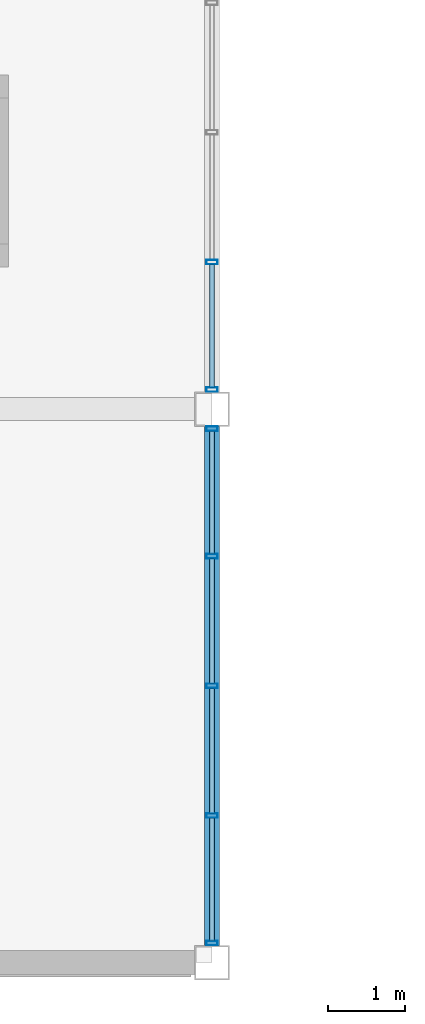
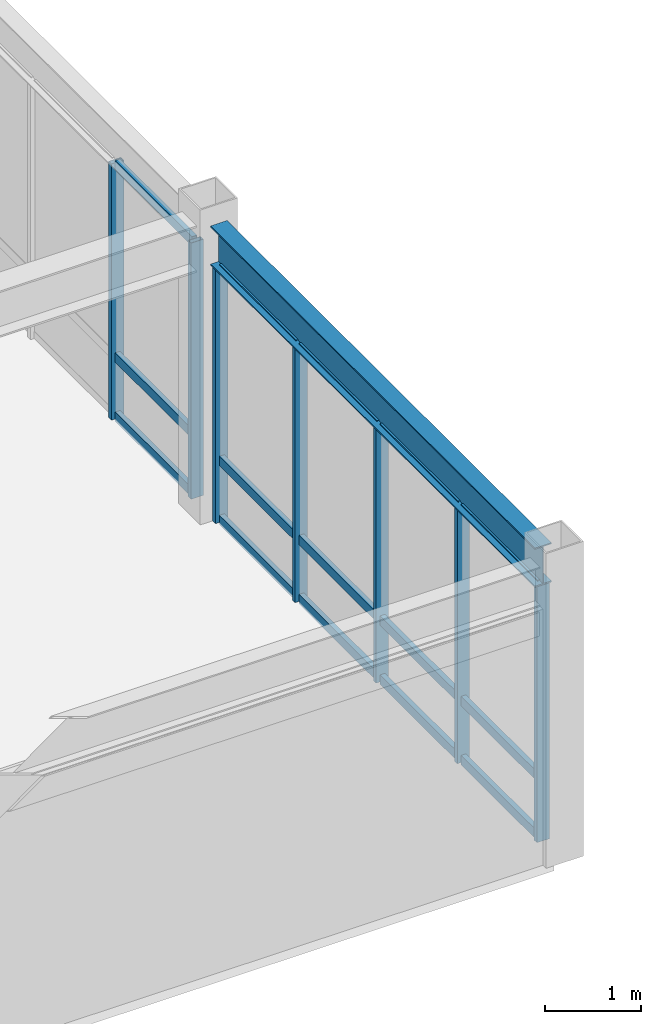
# One storey, part 17 of 122: 22 members, 1 beam, 2 elements without a shape of their own.
"""IFC4 building model written with IfcOpenShell, lengths in metres."""

from ifc_helpers import new_model, si_unit, direction, frame, origin, origin_2d, place, context, subcontext, project, spatial, hollow_rectangle, i_section, extrude, material, material_profile, profile_set, type_object, element, aggregate, save


model = new_model("IFC4")

# Units and contexts
model_context = context("Model", 3, precision=1e-05, world=origin(), true_north=direction((0.0, 1.0)))
body_context = subcontext(model_context, "Body", "Model", "MODEL_VIEW")
ifc_project = project(units=[si_unit("LENGTHUNIT", "METRE"), si_unit("AREAUNIT", "SQUARE_METRE"), si_unit("VOLUMEUNIT", "CUBIC_METRE"), si_unit("PLANEANGLEUNIT", "RADIAN"), si_unit("MASSUNIT", "GRAM", prefix="KILO")], contexts=[model_context])

# Site, building, storey
site_placement = place(None, origin())
site = spatial("IfcSite", under=ifc_project, at=site_placement, CompositionType="ELEMENT")
building_placement = place(site_placement, origin())
building = spatial("IfcBuilding", under=site, at=building_placement, Name="Kazanami Central Library", CompositionType="ELEMENT")
storey_placement = place(building_placement, frame((0.0, 0.0, 4.800048828125)))
storey = spatial("IfcBuildingStorey", under=building, at=storey_placement, Name="L02", CompositionType="ELEMENT", Elevation=4.800048828125)

# Beam
ifc_material_1 = material(Name="Steel SN490B (325 MPa)", Category="steel")
ifc_material_profile_1 = material_profile(ifc_material_1, i_section(OverallWidth=0.199951171875, OverallDepth=0.5, WebThickness=0.010009765625, FlangeThickness=0.01611328125, at=origin_2d()), Name="H-500x200x10x16")
ifc_profile_set_1 = profile_set([ifc_material_profile_1], Name="Steel SN490B (325 MPa)")
beam_type = type_object("IfcBeamType", Name="BM-SP-1", PredefinedType="SPANDREL", material=ifc_profile_set_1)
beam_placement = place(storey_placement, frame((36.0, 0.222900390625, 3.5048828125), z_axis=(0.0, 1.0, 0.0), x_axis=(-1.0, 0.0, 0.0)))
element("IfcBeam", 1, at=beam_placement, inside=storey, type_object=beam_type, Name="Girder SP-1 L02 5/A-B", PredefinedType="SPANDREL", context=body_context, shape_type="SweptSolid", body=[
    extrude(i_section(OverallWidth=0.199951171875, OverallDepth=0.5, WebThickness=0.010009765625, FlangeThickness=0.01611328125, at=origin_2d()), origin(), (0.0, 0.0, 1.0), 6.754150390625),
])

# Curtain wall, members
ifc_material_2 = material(Name="Acid-Etched Low-E Laminated Glass", Category="glass")
curtain_wall_type = type_object("IfcCurtainWallType", Name="CW-6750x3255-M180", PredefinedType="USERDEFINED", material=ifc_material_2)
curtain_wall_1_placement = place(storey_placement, origin())
curtain_wall_1 = element("IfcCurtainWall", 2, at=curtain_wall_1_placement, inside=storey, type_object=curtain_wall_type, Name="Covered Link Bridge Curtain Wall CW-21 L02 E-5-00", ObjectType="UNITISED CURTAIN WALL", PredefinedType="USERDEFINED")
ifc_material_3 = material(Name="Anodised Aluminium A6063-T5", Category="aluminium")
ifc_material_profile_2 = material_profile(ifc_material_3, hollow_rectangle(XDim=0.06005859375, YDim=0.14990234375, WallThickness=0.00390625, at=origin_2d()), Name="ALU-MULL-60x150x4")
ifc_profile_set_2 = profile_set([ifc_material_profile_2], Name="Anodised Aluminium A6063-T5")
member_type_1 = type_object("IfcMemberType", Name="MEM-CW-M3", PredefinedType="MULLION", material=ifc_profile_set_2)
member_1_placement = place(storey_placement, frame((36.0, 6.945068359375, 0.0), z_axis=(0.0, 0.0, 1.0), x_axis=(0.0, -1.0, 0.0)))
member_1 = element("IfcMember", 3, at=member_1_placement, type_object=member_type_1, Name="CW-21 mullion 1", PredefinedType="MULLION", context=body_context, shape_type="SweptSolid", body=[
    extrude(hollow_rectangle(XDim=0.06005859375, YDim=0.14990234375, WallThickness=0.00390625, at=origin_2d()), origin(), (0.0, 0.0, 1.0), 3.2548828125),
])
member_2_placement = place(storey_placement, frame((36.0, 5.28759765625, 0.0), z_axis=(0.0, 0.0, 1.0), x_axis=(0.0, -1.0, 0.0)))
member_2 = element("IfcMember", 4, at=member_2_placement, type_object=member_type_1, Name="CW-21 mullion 2", PredefinedType="MULLION", context=body_context, shape_type="SweptSolid", body=[
    extrude(hollow_rectangle(XDim=0.06005859375, YDim=0.14990234375, WallThickness=0.00390625, at=origin_2d()), origin(), (0.0, 0.0, 1.0), 3.2548828125),
])
member_3_placement = place(storey_placement, frame((36.0, 3.60009765625, 0.0), z_axis=(0.0, 0.0, 1.0), x_axis=(0.0, -1.0, 0.0)))
member_3 = element("IfcMember", 5, at=member_3_placement, type_object=member_type_1, Name="CW-21 mullion 3", PredefinedType="MULLION", context=body_context, shape_type="SweptSolid", body=[
    extrude(hollow_rectangle(XDim=0.06005859375, YDim=0.14990234375, WallThickness=0.00390625, at=origin_2d()), origin(), (0.0, 0.0, 1.0), 3.2548828125),
])
member_4_placement = place(storey_placement, frame((36.0, 1.91259765625, 0.0), z_axis=(0.0, 0.0, 1.0), x_axis=(0.0, -1.0, 0.0)))
member_4 = element("IfcMember", 6, at=member_4_placement, type_object=member_type_1, Name="CW-21 mullion 4", PredefinedType="MULLION", context=body_context, shape_type="SweptSolid", body=[
    extrude(hollow_rectangle(XDim=0.06005859375, YDim=0.14990234375, WallThickness=0.00390625, at=origin_2d()), origin(), (0.0, 0.0, 1.0), 3.2548828125),
])
member_5_placement = place(storey_placement, frame((36.0, 0.2548828125, 0.0), z_axis=(0.0, 0.0, 1.0), x_axis=(0.0, -1.0, 0.0)))
member_5 = element("IfcMember", 7, at=member_5_placement, type_object=member_type_1, Name="CW-21 mullion 5", PredefinedType="MULLION", context=body_context, shape_type="SweptSolid", body=[
    extrude(hollow_rectangle(XDim=0.06005859375, YDim=0.14990234375, WallThickness=0.00390625, at=origin_2d()), origin(), (0.0, 0.0, 1.0), 3.2548828125),
])

curtain_wall_2_placement = place(storey_placement, origin())
curtain_wall_2 = element("IfcCurtainWall", 8, at=curtain_wall_2_placement, inside=storey, type_object=curtain_wall_type, Name="Covered Link Bridge Curtain Wall CW-21 L02 E-5-01", ObjectType="UNITISED CURTAIN WALL", PredefinedType="USERDEFINED")
member_6_placement = place(storey_placement, frame((36.0, 9.112548828125, 0.0), z_axis=(0.0, 0.0, 1.0), x_axis=(0.0, -1.0, 0.0)))
member_6 = element("IfcMember", 9, at=member_6_placement, type_object=member_type_1, Name="CW-21 mullion 4", PredefinedType="MULLION", context=body_context, shape_type="SweptSolid", body=[
    extrude(hollow_rectangle(XDim=0.06005859375, YDim=0.14990234375, WallThickness=0.00390625, at=origin_2d()), origin(), (0.0, 0.0, 1.0), 3.2548828125),
])
member_7_placement = place(storey_placement, frame((36.0, 7.455078125, 0.0), z_axis=(0.0, 0.0, 1.0), x_axis=(0.0, -1.0, 0.0)))
member_7 = element("IfcMember", 10, at=member_7_placement, type_object=member_type_1, Name="CW-21 mullion 5", PredefinedType="MULLION", context=body_context, shape_type="SweptSolid", body=[
    extrude(hollow_rectangle(XDim=0.06005859375, YDim=0.14990234375, WallThickness=0.00390625, at=origin_2d()), origin(), (0.0, 0.0, 1.0), 3.2548828125),
])

# Member
ifc_material_profile_3 = material_profile(ifc_material_3, hollow_rectangle(XDim=0.06005859375, YDim=0.1201171875, WallThickness=0.00341796875, at=origin_2d()), Name="ALU-TRAN-60x120x3.5")
ifc_profile_set_3 = profile_set([ifc_material_profile_3], Name="Anodised Aluminium A6063-T5")
member_type_2 = type_object("IfcMemberType", Name="MEM-CW-T3", PredefinedType="USERDEFINED", material=ifc_profile_set_3)
member_8_placement = place(storey_placement, frame((36.0, 6.9150390625, 0.030029296875), z_axis=(0.0, -1.0, 0.0), x_axis=(1.0, 0.0, 0.0)))
member_8 = element("IfcMember", 11, at=member_8_placement, type_object=member_type_2, Name="CW-21 transom 1.1", ObjectType="TRANSOM", PredefinedType="USERDEFINED", context=body_context, shape_type="SweptSolid", body=[
    extrude(hollow_rectangle(XDim=0.06005859375, YDim=0.1201171875, WallThickness=0.00341796875, at=origin_2d()), origin(), (0.0, 0.0, 1.0), 1.59765625),
])

member_9_placement = place(storey_placement, frame((36.0, 6.9150390625, 0.780029296875), z_axis=(0.0, -1.0, 0.0), x_axis=(1.0, 0.0, 0.0)))
member_9 = element("IfcMember", 12, at=member_9_placement, type_object=member_type_2, Name="CW-21 transom 1.2", ObjectType="TRANSOM", PredefinedType="USERDEFINED", context=body_context, shape_type="SweptSolid", body=[
    extrude(hollow_rectangle(XDim=0.06005859375, YDim=0.1201171875, WallThickness=0.00341796875, at=origin_2d()), origin(), (0.0, 0.0, 1.0), 1.59765625),
])

member_10_placement = place(storey_placement, frame((36.0, 6.9150390625, 3.224853515625), z_axis=(0.0, -1.0, 0.0), x_axis=(1.0, 0.0, 0.0)))
member_10 = element("IfcMember", 13, at=member_10_placement, type_object=member_type_2, Name="CW-21 transom 1.3", ObjectType="TRANSOM", PredefinedType="USERDEFINED", context=body_context, shape_type="SweptSolid", body=[
    extrude(hollow_rectangle(XDim=0.06005859375, YDim=0.1201171875, WallThickness=0.00341796875, at=origin_2d()), origin(), (0.0, 0.0, 1.0), 1.59765625),
])

member_11_placement = place(storey_placement, frame((36.0, 5.257568359375, 0.030029296875), z_axis=(0.0, -1.0, 0.0), x_axis=(1.0, 0.0, 0.0)))
member_11 = element("IfcMember", 14, at=member_11_placement, type_object=member_type_2, Name="CW-21 transom 2.1", ObjectType="TRANSOM", PredefinedType="USERDEFINED", context=body_context, shape_type="SweptSolid", body=[
    extrude(hollow_rectangle(XDim=0.06005859375, YDim=0.1201171875, WallThickness=0.00341796875, at=origin_2d()), origin(), (0.0, 0.0, 1.0), 1.627685546875),
])

member_12_placement = place(storey_placement, frame((36.0, 5.257568359375, 0.780029296875), z_axis=(0.0, -1.0, 0.0), x_axis=(1.0, 0.0, 0.0)))
member_12 = element("IfcMember", 15, at=member_12_placement, type_object=member_type_2, Name="CW-21 transom 2.2", ObjectType="TRANSOM", PredefinedType="USERDEFINED", context=body_context, shape_type="SweptSolid", body=[
    extrude(hollow_rectangle(XDim=0.06005859375, YDim=0.1201171875, WallThickness=0.00341796875, at=origin_2d()), origin(), (0.0, 0.0, 1.0), 1.627685546875),
])

member_13_placement = place(storey_placement, frame((36.0, 5.257568359375, 3.224853515625), z_axis=(0.0, -1.0, 0.0), x_axis=(1.0, 0.0, 0.0)))
member_13 = element("IfcMember", 16, at=member_13_placement, type_object=member_type_2, Name="CW-21 transom 2.3", ObjectType="TRANSOM", PredefinedType="USERDEFINED", context=body_context, shape_type="SweptSolid", body=[
    extrude(hollow_rectangle(XDim=0.06005859375, YDim=0.1201171875, WallThickness=0.00341796875, at=origin_2d()), origin(), (0.0, 0.0, 1.0), 1.627685546875),
])

member_14_placement = place(storey_placement, frame((36.0, 3.570068359375, 0.030029296875), z_axis=(0.0, -1.0, 0.0), x_axis=(1.0, 0.0, 0.0)))
member_14 = element("IfcMember", 17, at=member_14_placement, type_object=member_type_2, Name="CW-21 transom 3.1", ObjectType="TRANSOM", PredefinedType="USERDEFINED", context=body_context, shape_type="SweptSolid", body=[
    extrude(hollow_rectangle(XDim=0.06005859375, YDim=0.1201171875, WallThickness=0.00341796875, at=origin_2d()), origin(), (0.0, 0.0, 1.0), 1.627685546875),
])

member_15_placement = place(storey_placement, frame((36.0, 3.570068359375, 0.780029296875), z_axis=(0.0, -1.0, 0.0), x_axis=(1.0, 0.0, 0.0)))
member_15 = element("IfcMember", 18, at=member_15_placement, type_object=member_type_2, Name="CW-21 transom 3.2", ObjectType="TRANSOM", PredefinedType="USERDEFINED", context=body_context, shape_type="SweptSolid", body=[
    extrude(hollow_rectangle(XDim=0.06005859375, YDim=0.1201171875, WallThickness=0.00341796875, at=origin_2d()), origin(), (0.0, 0.0, 1.0), 1.627685546875),
])

member_16_placement = place(storey_placement, frame((36.0, 3.570068359375, 3.224853515625), z_axis=(0.0, -1.0, 0.0), x_axis=(1.0, 0.0, 0.0)))
member_16 = element("IfcMember", 19, at=member_16_placement, type_object=member_type_2, Name="CW-21 transom 3.3", ObjectType="TRANSOM", PredefinedType="USERDEFINED", context=body_context, shape_type="SweptSolid", body=[
    extrude(hollow_rectangle(XDim=0.06005859375, YDim=0.1201171875, WallThickness=0.00341796875, at=origin_2d()), origin(), (0.0, 0.0, 1.0), 1.627685546875),
])

member_17_placement = place(storey_placement, frame((36.0, 1.882568359375, 0.030029296875), z_axis=(0.0, -1.0, 0.0), x_axis=(1.0, 0.0, 0.0)))
member_17 = element("IfcMember", 20, at=member_17_placement, type_object=member_type_2, Name="CW-21 transom 4.1", ObjectType="TRANSOM", PredefinedType="USERDEFINED", context=body_context, shape_type="SweptSolid", body=[
    extrude(hollow_rectangle(XDim=0.06005859375, YDim=0.1201171875, WallThickness=0.00341796875, at=origin_2d()), origin(), (0.0, 0.0, 1.0), 1.59765625),
])

member_18_placement = place(storey_placement, frame((36.0, 1.882568359375, 0.780029296875), z_axis=(0.0, -1.0, 0.0), x_axis=(1.0, 0.0, 0.0)))
member_18 = element("IfcMember", 21, at=member_18_placement, type_object=member_type_2, Name="CW-21 transom 4.2", ObjectType="TRANSOM", PredefinedType="USERDEFINED", context=body_context, shape_type="SweptSolid", body=[
    extrude(hollow_rectangle(XDim=0.06005859375, YDim=0.1201171875, WallThickness=0.00341796875, at=origin_2d()), origin(), (0.0, 0.0, 1.0), 1.59765625),
])

member_19_placement = place(storey_placement, frame((36.0, 1.882568359375, 3.224853515625), z_axis=(0.0, -1.0, 0.0), x_axis=(1.0, 0.0, 0.0)))
member_19 = element("IfcMember", 22, at=member_19_placement, type_object=member_type_2, Name="CW-21 transom 4.3", ObjectType="TRANSOM", PredefinedType="USERDEFINED", context=body_context, shape_type="SweptSolid", body=[
    extrude(hollow_rectangle(XDim=0.06005859375, YDim=0.1201171875, WallThickness=0.00341796875, at=origin_2d()), origin(), (0.0, 0.0, 1.0), 1.59765625),
])

aggregate(curtain_wall_1, [member_1, member_2, member_3, member_4, member_5, member_8, member_9, member_10, member_11, member_12, member_13, member_14, member_15, member_16, member_17, member_18, member_19])

member_20_placement = place(storey_placement, frame((36.0, 9.08251953125, 0.030029296875), z_axis=(0.0, -1.0, 0.0), x_axis=(1.0, 0.0, 0.0)))
member_20 = element("IfcMember", 23, at=member_20_placement, type_object=member_type_2, Name="CW-21 transom 4.1", ObjectType="TRANSOM", PredefinedType="USERDEFINED", context=body_context, shape_type="SweptSolid", body=[
    extrude(hollow_rectangle(XDim=0.06005859375, YDim=0.1201171875, WallThickness=0.00341796875, at=origin_2d()), origin(), (0.0, 0.0, 1.0), 1.597412109375),
])

member_21_placement = place(storey_placement, frame((36.0, 9.08251953125, 0.780029296875), z_axis=(0.0, -1.0, 0.0), x_axis=(1.0, 0.0, 0.0)))
member_21 = element("IfcMember", 24, at=member_21_placement, type_object=member_type_2, Name="CW-21 transom 4.2", ObjectType="TRANSOM", PredefinedType="USERDEFINED", context=body_context, shape_type="SweptSolid", body=[
    extrude(hollow_rectangle(XDim=0.06005859375, YDim=0.1201171875, WallThickness=0.00341796875, at=origin_2d()), origin(), (0.0, 0.0, 1.0), 1.597412109375),
])

member_22_placement = place(storey_placement, frame((36.0, 9.08251953125, 3.224853515625), z_axis=(0.0, -1.0, 0.0), x_axis=(1.0, 0.0, 0.0)))
member_22 = element("IfcMember", 25, at=member_22_placement, type_object=member_type_2, Name="CW-21 transom 4.3", ObjectType="TRANSOM", PredefinedType="USERDEFINED", context=body_context, shape_type="SweptSolid", body=[
    extrude(hollow_rectangle(XDim=0.06005859375, YDim=0.1201171875, WallThickness=0.00341796875, at=origin_2d()), origin(), (0.0, 0.0, 1.0), 1.597412109375),
])

aggregate(curtain_wall_2, [member_6, member_7, member_20, member_21, member_22])

save(model, "model.ifc")
